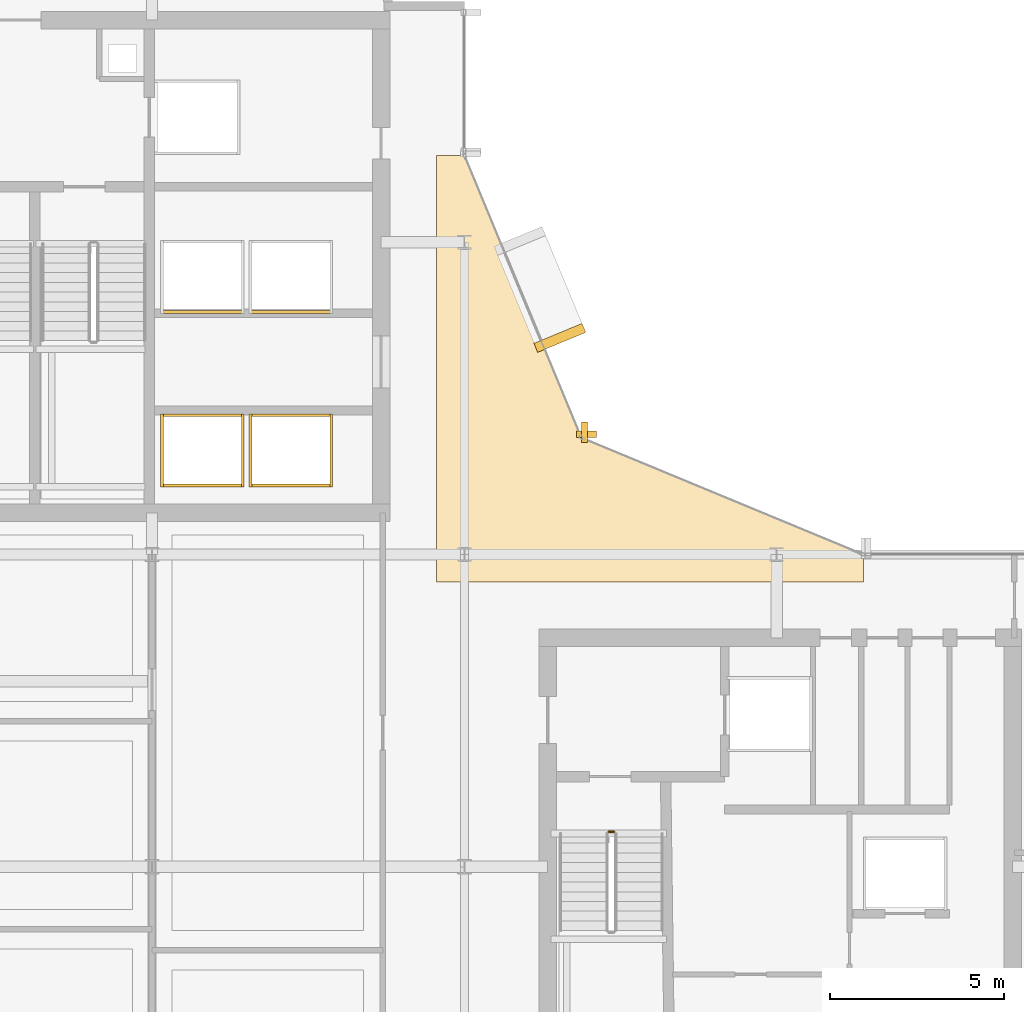
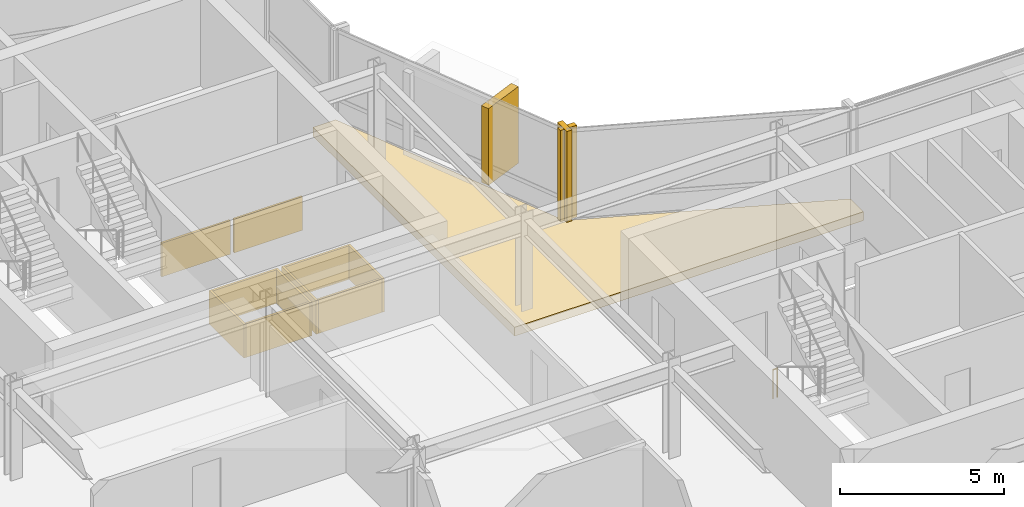
# One storey, part 25 of 27: 14 coverings, 1 railing.
"""IFC4 building model written with IfcOpenShell, lengths in metres."""

from ifc_helpers import new_model, si_unit, direction, frame, origin, origin_2d, place, context, subcontext, project, spatial, polyline, rectangle, circle, outline, extrude, material, layer, layer_set, type_object, element, save


model = new_model("IFC4")

# Units and contexts
model_context = context("Model", 3, precision=1e-05, world=origin(), true_north=direction((0.0, 1.0)))
body_context = subcontext(model_context, "Body", "Model", "MODEL_VIEW")
ifc_project = project(units=[si_unit("LENGTHUNIT", "METRE"), si_unit("AREAUNIT", "SQUARE_METRE"), si_unit("VOLUMEUNIT", "CUBIC_METRE"), si_unit("PLANEANGLEUNIT", "RADIAN"), si_unit("MASSUNIT", "GRAM", prefix="KILO")], contexts=[model_context])

# Site, building, storey
site_placement = place(None, origin())
site = spatial("IfcSite", under=ifc_project, at=site_placement, CompositionType="ELEMENT")
building_placement = place(site_placement, origin())
building = spatial("IfcBuilding", under=site, at=building_placement, Name="Solvaryn Broadcast Tower", CompositionType="ELEMENT")
storey_placement = place(building_placement, frame((0.0, 0.0, 177.89990234375)))
storey = spatial("IfcBuildingStorey", under=building, at=storey_placement, Name="L44", CompositionType="ELEMENT", Elevation=177.89990234375)

# Coverings
ifc_material_1 = material(Name="Fire-Rated Gypsum Shaftwall Liner", Category="concrete")
ifc_layer_1 = layer(ifc_material_1, 0.080078125)
ifc_layer_set_1 = layer_set([ifc_layer_1], Name="CV-SHAFT-LINER")
covering_type_1 = type_object("IfcCoveringType", Name="CV-SHAFT-LINER", PredefinedType="CLADDING", material=ifc_layer_set_1)
for number, where, z_axis, x_axis, name in (
    (1, (19.449951171875, 31.014892578125, 0.0), (0.0, 0.0, 1.0), (1.0, 0.0, 0.0), "L44 PH1 Hoistway Shaft Liner North"),
    (2, (19.449951171875, 28.985107421875, 0.0), (0.0, 0.0, 1.0), (1.0, 0.0, 0.0), "L44 PH1 Hoistway Shaft Liner South"),
):
    element("IfcCovering", number, at=place(storey_placement, frame(where, z_axis=z_axis, x_axis=x_axis)), inside=storey, type_object=covering_type_1, Name=name, PredefinedType="CLADDING", context=body_context, shape_type="SweptSolid", body=[
        extrude(rectangle(XDim=2.409912109375, YDim=0.080078125, at=origin_2d()), origin(), (0.0, 0.0, 1.0), 1.25),
    ])
for number, where, z_axis, x_axis, name in (
    (3, (20.614990234375, 30.0, 0.0), (0.0, 0.0, 1.0), (1.0, 0.0, 0.0), "L44 PH1 Hoistway Shaft Liner East"),
    (4, (18.284912109375, 30.0, 0.0), (0.0, 0.0, 1.0), (1.0, 0.0, 0.0), "L44 PH1 Hoistway Shaft Liner West"),
):
    element("IfcCovering", number, at=place(storey_placement, frame(where, z_axis=z_axis, x_axis=x_axis)), inside=storey, type_object=covering_type_1, Name=name, PredefinedType="CLADDING", context=body_context, shape_type="SweptSolid", body=[
        extrude(rectangle(XDim=0.080078125, YDim=2.110107421875, at=origin_2d()), origin(), (0.0, 0.0, 1.0), 1.25),
    ])
for number, where, z_axis, x_axis, name in (
    (5, (22.0, 31.014892578125, 0.0), (0.0, 0.0, 1.0), (1.0, 0.0, 0.0), "L44 PH2 Hoistway Shaft Liner North"),
    (6, (22.0, 28.985107421875, 0.0), (0.0, 0.0, 1.0), (1.0, 0.0, 0.0), "L44 PH2 Hoistway Shaft Liner South"),
):
    element("IfcCovering", number, at=place(storey_placement, frame(where, z_axis=z_axis, x_axis=x_axis)), inside=storey, type_object=covering_type_1, Name=name, PredefinedType="CLADDING", context=body_context, shape_type="SweptSolid", body=[
        extrude(rectangle(XDim=2.409912109375, YDim=0.080078125, at=origin_2d()), origin(), (0.0, 0.0, 1.0), 1.25),
    ])
for number, where, z_axis, x_axis, name in (
    (7, (23.1650390625, 30.0, 0.0), (0.0, 0.0, 1.0), (1.0, 0.0, 0.0), "L44 PH2 Hoistway Shaft Liner East"),
    (8, (20.8349609375, 30.0, 0.0), (0.0, 0.0, 1.0), (1.0, 0.0, 0.0), "L44 PH2 Hoistway Shaft Liner West"),
):
    element("IfcCovering", number, at=place(storey_placement, frame(where, z_axis=z_axis, x_axis=x_axis)), inside=storey, type_object=covering_type_1, Name=name, PredefinedType="CLADDING", context=body_context, shape_type="SweptSolid", body=[
        extrude(rectangle(XDim=0.080078125, YDim=2.110107421875, at=origin_2d()), origin(), (0.0, 0.0, 1.0), 1.25),
    ])
for number, where, z_axis, x_axis, name in (
    (9, (19.449951171875, 33.985107421875, 0.0), (0.0, 0.0, 1.0), (1.0, 0.0, 0.0), "L44 PH3 Hoistway Shaft Liner South"),
    (10, (22.0, 33.985107421875, 0.0), (0.0, 0.0, 1.0), (1.0, 0.0, 0.0), "L44 PH4 Hoistway Shaft Liner South"),
):
    element("IfcCovering", number, at=place(storey_placement, frame(where, z_axis=z_axis, x_axis=x_axis)), inside=storey, type_object=covering_type_1, Name=name, PredefinedType="CLADDING", context=body_context, shape_type="SweptSolid", body=[
        extrude(rectangle(XDim=2.409912109375, YDim=0.080078125, at=origin_2d()), origin(), (0.0, 0.0, 1.0), 1.25),
    ])
ifc_material_2 = material(Name="Glazed Architectural Terracotta Rainscreen Cladding", Category="masonry")
ifc_layer_2 = layer(ifc_material_2, 0.280029296875)
ifc_layer_set_2 = layer_set([ifc_layer_2], Name="CV-TC-CLAD")
covering_type_2 = type_object("IfcCoveringType", Name="CV-TC-CLAD", PredefinedType="CLADDING", material=ifc_layer_set_2)
covering_1_placement = place(storey_placement, frame((29.751953125, 33.241943359375, 0.2802734375), z_axis=(0.0, 0.0, 1.0), x_axis=(-0.382683432365, 0.923879532511, 0.0)))
element("IfcCovering", 11, at=covering_1_placement, inside=storey, type_object=covering_type_2, Name="L44 Projecting Stone Window Box Cheek 5-1", PredefinedType="CLADDING", context=body_context, shape_type="SweptSolid", body=[
    extrude(rectangle(XDim=0.280029296875, YDim=1.5, at=origin_2d()), origin(), (0.0, 0.0, 1.0), 2.860107421875),
])
ifc_material_3 = material(Name="Extruded Architectural Terracotta Fin", Category="masonry")
ifc_layer_3 = layer(ifc_material_3, 0.179931640625)
ifc_layer_set_3 = layer_set([ifc_layer_3], Name="CV-TC-FIN")
covering_type_3 = type_object("IfcCoveringType", Name="CV-TC-FIN", PredefinedType="USERDEFINED", material=ifc_layer_set_3)
covering_2_placement = place(storey_placement, frame((30.464599609375, 30.52294921875, 0.000244140625), z_axis=(0.0, 0.0, 1.0), x_axis=(1.0, 0.0, 0.0)))
element("IfcCovering", 12, at=covering_2_placement, inside=storey, type_object=covering_type_3, Name="L44 Terracotta Vertical Fin FIN-L44-CN1-M01", ObjectType="FIN", PredefinedType="USERDEFINED", context=body_context, shape_type="SweptSolid", body=[
    extrude(rectangle(XDim=0.179931640625, YDim=0.580078125, at=origin_2d()), origin(), (0.0, 0.0, 1.0), 3.419921875),
])
covering_3_placement = place(storey_placement, frame((30.52294921875, 30.464599609375, 0.000244140625), z_axis=(0.0, 0.0, 1.0), x_axis=(1.0, 0.0, 0.0)))
element("IfcCovering", 13, at=covering_3_placement, inside=storey, type_object=covering_type_3, Name="L44 Terracotta Vertical Fin FIN-L44-CN2-M00", ObjectType="FIN", PredefinedType="USERDEFINED", context=body_context, shape_type="SweptSolid", body=[
    extrude(rectangle(XDim=0.580078125, YDim=0.179931640625, at=origin_2d()), origin(), (0.0, 0.0, 1.0), 3.419921875),
])
ifc_material_4 = material(Name="Sculpted Architectural Terracotta Wave Fascia", Category="masonry")
ifc_layer_4 = layer(ifc_material_4, 0.340087890625)
ifc_layer_set_4 = layer_set([ifc_layer_4], Name="CV-WAVE-TRAY")
covering_type_4 = type_object("IfcCoveringType", Name="CV-WAVE-TRAY", PredefinedType="CLADDING", material=ifc_layer_set_4)
covering_4_placement = place(storey_placement, frame((0.0, 0.0, -0.2998046875)))
element("IfcCovering", 14, at=covering_4_placement, inside=storey, type_object=covering_type_4, Name="L44 Concave Canyon Floor Apron", PredefinedType="CLADDING", context=body_context, shape_type="SweptSolid", body=[
    extrude(outline(polyline([(26.199951171875, 26.199951171875), (38.5, 26.199951171875), (38.5, 27.0), (30.367919921875, 30.367919921875), (27.0, 38.5), (26.199951171875, 38.5), (26.199951171875, 26.199951171875)])), origin(), (0.0, 0.0, 1.0), 0.329833984375),
])

# Railing
ifc_material_5 = material(Name="Painted Steel Stair Well Guard", Category="steel")
railing_type = type_object("IfcRailingType", Name="RL-STAIR-GUARD", PredefinedType="BALUSTRADE", material=ifc_material_5)
railing_placement = place(storey_placement, frame((31.159912109375, 19.010009765625, 0.0)))
element("IfcRailing", 15, at=railing_placement, inside=storey, type_object=railing_type, Name="L44 ST3 stair guard 4", PredefinedType="BALUSTRADE", context=body_context, shape_type="SweptSolid", body=[
    extrude(circle(Radius=0.02392578125, at=origin_2d()), frame((0.0, 0.0, 1.076171875), z_axis=(1.0, 0.0, 0.0), x_axis=(0.0, 1.0, 0.0)), (0.0, 0.0, 1.0), 0.150146484375),
    extrude(circle(Radius=0.02099609375, at=origin_2d()), origin(), (0.0, 0.0, 1.0), 1.052001953125),
    extrude(circle(Radius=0.02099609375, at=origin_2d()), frame((0.150146484375, 0.0, 0.0)), (0.0, 0.0, 1.0), 1.052001953125),
])

save(model, "model.ifc")
